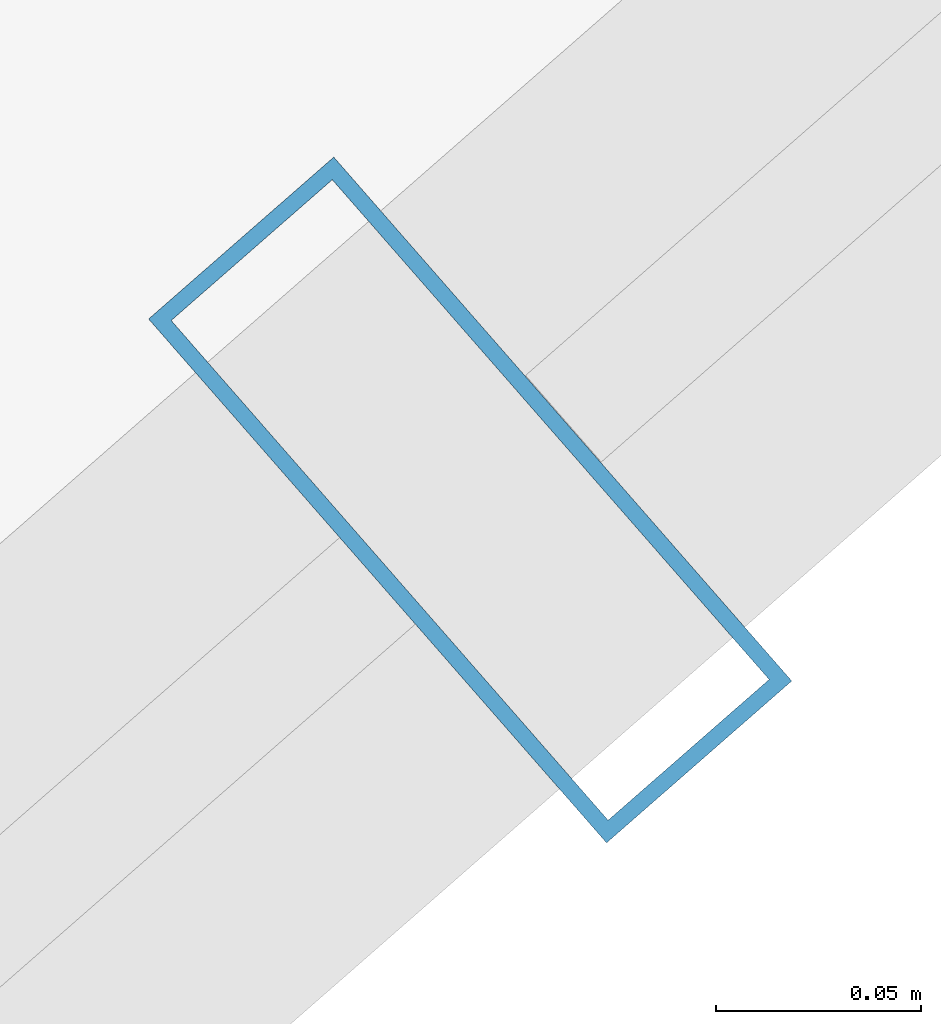
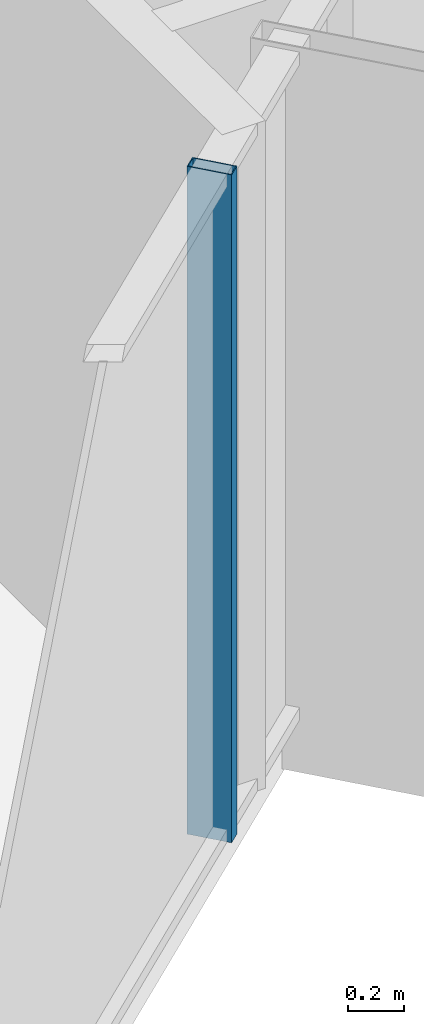
# One storey, part 7 of 36: 1 member, 1 element without a shape of its own.
"""IFC4 building model written with IfcOpenShell, lengths in metres."""

from ifc_helpers import new_model, si_unit, direction, frame, origin, origin_2d, place, context, subcontext, project, spatial, hollow_rectangle, extrude, source, transform, mapped, material, layer, layer_set, material_profile, profile_set, type_object, element, aggregate, save


model = new_model("IFC4")

# Units and contexts
model_context = context("Model", 3, precision=1e-05, world=origin(), true_north=direction((0.0, 1.0)))
body_context = subcontext(model_context, "Body", "Model", "MODEL_VIEW")
ifc_project = project(units=[si_unit("LENGTHUNIT", "METRE"), si_unit("AREAUNIT", "SQUARE_METRE"), si_unit("VOLUMEUNIT", "CUBIC_METRE"), si_unit("PLANEANGLEUNIT", "RADIAN"), si_unit("MASSUNIT", "GRAM", prefix="KILO")], contexts=[model_context])

# Site, building, storey
site_placement = place(None, origin())
site = spatial("IfcSite", under=ifc_project, at=site_placement, CompositionType="ELEMENT")
building_placement = place(site_placement, origin())
building = spatial("IfcBuilding", under=site, at=building_placement, Name="Veraguas Prism Commons", CompositionType="ELEMENT")
storey_placement = place(building_placement, frame((0.0, 0.0, 166.300048828125)))
storey = spatial("IfcBuildingStorey", under=building, at=storey_placement, Name="L47", CompositionType="ELEMENT", Elevation=166.300048828125)

# Curtain wall, member
ifc_material = material(Name="Anodised aluminium EN AW-6063 T6", Category="aluminium")
ifc_layer = layer(ifc_material, 0.169921875, Name="Unitised Flush Curtain Wall Zone 2", Category="aluminium")
ifc_layer_set = layer_set([ifc_layer], Name="Anodised aluminium EN AW-6063 T6")
curtain_wall_type = type_object("IfcCurtainWallType", Name="Unitised Flush Curtain Wall Zone 2", PredefinedType="NOTDEFINED", material=ifc_layer_set)
curtain_wall_placement = place(storey_placement, origin())
curtain_wall = element("IfcCurtainWall", 1, at=curtain_wall_placement, inside=storey, type_object=curtain_wall_type, Name="Tower Facade Curtain Wall L47-F5", PredefinedType="NOTDEFINED")
ifc_material_profile = material_profile(ifc_material, hollow_rectangle(XDim=0.06005859375, YDim=0.169921875, WallThickness=0.00390625, at=origin_2d()), Name="AL60X170X4")
ifc_profile_set = profile_set([ifc_material_profile], Name="Anodised aluminium EN AW-6063 T6")
member_type = type_object("IfcMemberType", Name="Curtain Wall Mullion Lower AL 60x170x4", PredefinedType="MULLION", material=ifc_profile_set)
shared_shape = source(origin(), body_context, "Body", "SweptSolid", [
    extrude(hollow_rectangle(XDim=0.06005859375, YDim=0.169921875, WallThickness=0.00390625, at=origin_2d()), origin(), (0.0, 0.0, 1.0), 2.929931640625),
])
member_placement = place(storey_placement, frame((33.38134765625, 6.72216796875, 0.0), z_axis=(0.0, 0.0, 1.0), x_axis=(0.752872280062, 0.658166642967, 0.0)))
member = element("IfcMember", 2, at=member_placement, type_object=member_type, Name="CW-Z2 Mullion 2", PredefinedType="MULLION", context=body_context, shape_type="MappedRepresentation", body=[
    mapped(shared_shape, transform((0.0, 0.0, 0.0), scale=1.0)),
])
aggregate(curtain_wall, [member])

save(model, "model.ifc")
